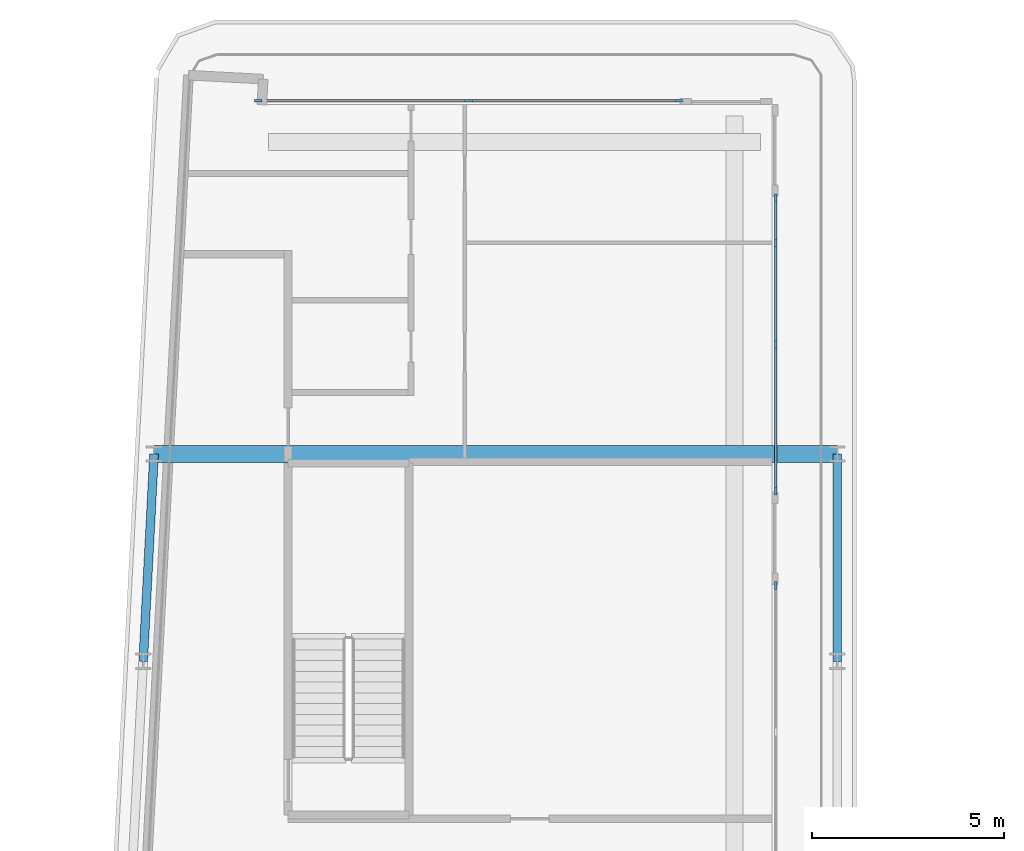
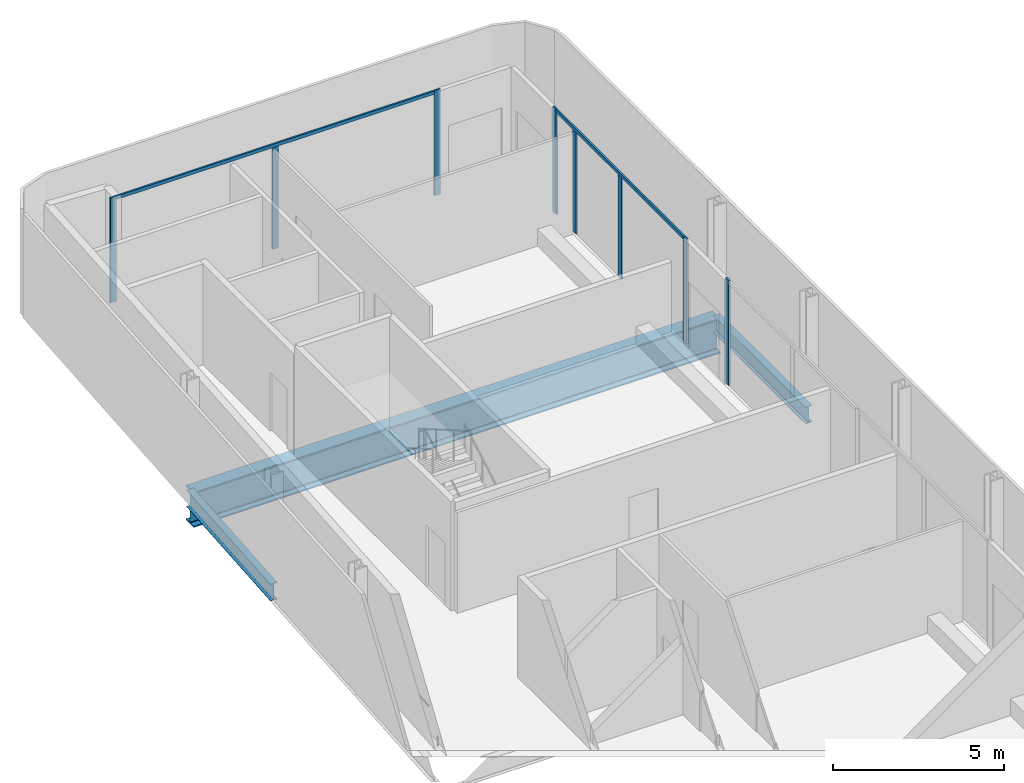
# One storey, part 11 of 30: 10 members, 3 beams, 3 elements without a shape of their own.
"""IFC4 building model written with IfcOpenShell, lengths in metres."""

from ifc_helpers import new_model, si_unit, direction, frame, origin, origin_2d, place, context, subcontext, project, spatial, rectangle, i_section, extrude, material, layer, layer_set, material_profile, profile_set, type_object, element, aggregate, save


model = new_model("IFC4")

# Units and contexts
model_context = context("Model", 3, precision=1e-05, world=origin(), true_north=direction((0.0, 1.0)))
body_context = subcontext(model_context, "Body", "Model", "MODEL_VIEW")
ifc_project = project(units=[si_unit("LENGTHUNIT", "METRE"), si_unit("AREAUNIT", "SQUARE_METRE"), si_unit("VOLUMEUNIT", "CUBIC_METRE"), si_unit("PLANEANGLEUNIT", "RADIAN"), si_unit("MASSUNIT", "GRAM", prefix="KILO")], contexts=[model_context])

# Site, building, storey
site_placement = place(None, origin())
site = spatial("IfcSite", under=ifc_project, at=site_placement, CompositionType="ELEMENT")
building_placement = place(site_placement, origin())
building = spatial("IfcBuilding", under=site, at=building_placement, Name="Kheshtan School and Residences Tower", CompositionType="ELEMENT")
storey_placement = place(building_placement, frame((0.0, 0.0, 199.39990234375)))
storey = spatial("IfcBuildingStorey", under=building, at=storey_placement, Name="L47", CompositionType="ELEMENT", Elevation=199.39990234375)

# Beams
ifc_material_1 = material(Name="Steel ASTM A992 Grade 50", Category="steel")
ifc_material_profile_1 = material_profile(ifc_material_1, i_section(OverallWidth=0.22802734375, OverallDepth=0.60302734375, WebThickness=0.010498046875, FlangeThickness=0.014892578125, FilletRadius=0.013427734375, at=origin_2d()), Name="W610x101")
ifc_profile_set_1 = profile_set([ifc_material_profile_1], Name="Steel ASTM A992 Grade 50")
beam_type_1 = type_object("IfcBeamType", Name="Beam SP2 W610x101 ASTM A992 Grade 50", PredefinedType="BEAM", material=ifc_profile_set_1)
beam_1_placement = place(storey_placement, frame((47.60009765625, 88.800048828125, -0.451416015625), z_axis=(0.0, -1.0, 0.0), x_axis=(1.0, 0.0, 0.0)))
element("IfcBeam", 1, at=beam_1_placement, inside=storey, type_object=beam_type_1, Name="Spandrel beam C099-C091", PredefinedType="BEAM", context=body_context, shape_type="SweptSolid", body=[
    extrude(i_section(OverallWidth=0.22802734375, OverallDepth=0.60302734375, WebThickness=0.010498046875, FlangeThickness=0.014892578125, FilletRadius=0.013427734375, at=origin_2d()), origin(), (0.0, 0.0, 1.0), 5.400146484375),
])
beam_2_placement = place(storey_placement, frame((29.527099609375, 83.39990234375, -0.451416015625), z_axis=(0.05250670125, 0.998620571751, 0.0), x_axis=(-0.998620571751, 0.05250670125, 0.0)))
element("IfcBeam", 2, at=beam_2_placement, inside=storey, type_object=beam_type_1, Name="Spandrel beam C090-C098", PredefinedType="BEAM", context=body_context, shape_type="SweptSolid", body=[
    extrude(i_section(OverallWidth=0.22802734375, OverallDepth=0.60302734375, WebThickness=0.010498046875, FlangeThickness=0.014892578125, FilletRadius=0.013427734375, at=origin_2d()), origin(), (0.0, 0.0, 1.0), 5.40771484375),
])

# Curtain wall, members
ifc_material_2 = material(Name="Clear low-e glass in thermally broken aluminium frame", Category="aluminium")
ifc_layer = layer(ifc_material_2, 0.199951171875)
ifc_layer_set = layer_set([ifc_layer], Name="Curtain wall CW-L")
curtain_wall_type = type_object("IfcCurtainWallType", Name="Curtain wall CW-L", PredefinedType="NOTDEFINED", material=ifc_layer_set)
curtain_wall_1_placement = place(storey_placement, origin())
curtain_wall_1 = element("IfcCurtainWall", 3, at=curtain_wall_1_placement, inside=storey, type_object=curtain_wall_type, Name="Curtain wall CWL7", PredefinedType="NOTDEFINED")
ifc_material_3 = material(Name="Thermally broken aluminium, dark bronze anodised", Category="aluminium")
ifc_material_profile_2 = material_profile(ifc_material_3, rectangle(XDim=0.06005859375, YDim=0.199951171875, at=origin_2d()), Name="CW-L mullion 60x200")
ifc_profile_set_2 = profile_set([ifc_material_profile_2], Name="Thermally broken aluminium, dark bronze anodised")
member_type_1 = type_object("IfcMemberType", Name="CW-L mullion 60x200", PredefinedType="MULLION", material=ifc_profile_set_2)
member_1_placement = place(storey_placement, frame((32.52197265625, 98.0, 0.0), z_axis=(0.0, 0.0, 1.0), x_axis=(0.0, 1.0, 0.0)))
member_1 = element("IfcMember", 4, at=member_1_placement, type_object=member_type_1, Name="CWL7 mullion 1", PredefinedType="MULLION", context=body_context, shape_type="SweptSolid", body=[
    extrude(rectangle(XDim=0.06005859375, YDim=0.199951171875, at=origin_2d()), origin(), (0.0, 0.0, 1.0), 3.75),
])
member_2_placement = place(storey_placement, frame((37.99609375, 98.0, 0.0), z_axis=(0.0, 0.0, 1.0), x_axis=(0.0, 1.0, 0.0)))
member_2 = element("IfcMember", 5, at=member_2_placement, type_object=member_type_1, Name="CWL7 mullion 2", PredefinedType="MULLION", context=body_context, shape_type="SweptSolid", body=[
    extrude(rectangle(XDim=0.06005859375, YDim=0.199951171875, at=origin_2d()), origin(), (0.0, 0.0, 1.0), 3.630126953125),
])
member_3_placement = place(storey_placement, frame((43.469970703125, 98.0, 0.0), z_axis=(0.0, 0.0, 1.0), x_axis=(0.0, 1.0, 0.0)))
member_3 = element("IfcMember", 6, at=member_3_placement, type_object=member_type_1, Name="CWL7 mullion 3", PredefinedType="MULLION", context=body_context, shape_type="SweptSolid", body=[
    extrude(rectangle(XDim=0.06005859375, YDim=0.199951171875, at=origin_2d()), origin(), (0.0, 0.0, 1.0), 3.75),
])

curtain_wall_2_placement = place(storey_placement, origin())
curtain_wall_2 = element("IfcCurtainWall", 7, at=curtain_wall_2_placement, inside=storey, type_object=curtain_wall_type, Name="Curtain wall CWL8c", PredefinedType="NOTDEFINED")
member_4_placement = place(storey_placement, frame((46.0, 95.469970703125, 0.0), z_axis=(0.0, 0.0, 1.0), x_axis=(1.0, 0.0, 0.0)))
member_4 = element("IfcMember", 8, at=member_4_placement, type_object=member_type_1, Name="CWL8c mullion 1", PredefinedType="MULLION", context=body_context, shape_type="SweptSolid", body=[
    extrude(rectangle(XDim=0.06005859375, YDim=0.199951171875, at=origin_2d()), origin(), (0.0, 0.0, 1.0), 3.75),
])
member_5_placement = place(storey_placement, frame((46.0, 94.300048828125, 0.0), z_axis=(0.0, 0.0, 1.0), x_axis=(1.0, 0.0, 0.0)))
member_5 = element("IfcMember", 9, at=member_5_placement, type_object=member_type_1, Name="CWL8c mullion 2", PredefinedType="MULLION", context=body_context, shape_type="SweptSolid", body=[
    extrude(rectangle(XDim=0.06005859375, YDim=0.199951171875, at=origin_2d()), origin(), (0.0, 0.0, 1.0), 3.630126953125),
])
member_6_placement = place(storey_placement, frame((46.0, 91.653076171875, 0.0), z_axis=(0.0, 0.0, 1.0), x_axis=(1.0, 0.0, 0.0)))
member_6 = element("IfcMember", 10, at=member_6_placement, type_object=member_type_1, Name="CWL8c mullion 3", PredefinedType="MULLION", context=body_context, shape_type="SweptSolid", body=[
    extrude(rectangle(XDim=0.06005859375, YDim=0.199951171875, at=origin_2d()), origin(), (0.0, 0.0, 1.0), 3.630126953125),
])
member_7_placement = place(storey_placement, frame((46.0, 87.8359375, 0.0), z_axis=(0.0, 0.0, 1.0), x_axis=(1.0, 0.0, 0.0)))
member_7 = element("IfcMember", 11, at=member_7_placement, type_object=member_type_1, Name="CWL8c mullion 4", PredefinedType="MULLION", context=body_context, shape_type="SweptSolid", body=[
    extrude(rectangle(XDim=0.06005859375, YDim=0.199951171875, at=origin_2d()), origin(), (0.0, 0.0, 1.0), 3.75),
])

# Curtain wall, member
curtain_wall_3_placement = place(storey_placement, origin())
curtain_wall_3 = element("IfcCurtainWall", 12, at=curtain_wall_3_placement, inside=storey, type_object=curtain_wall_type, Name="Curtain wall CWL8", PredefinedType="NOTDEFINED")
member_8_placement = place(storey_placement, frame((46.0, 85.3759765625, 0.0), z_axis=(0.0, 0.0, 1.0), x_axis=(1.0, 0.0, 0.0)))
member_8 = element("IfcMember", 13, at=member_8_placement, type_object=member_type_1, Name="CWL8 mullion 1", PredefinedType="MULLION", context=body_context, shape_type="SweptSolid", body=[
    extrude(rectangle(XDim=0.06005859375, YDim=0.199951171875, at=origin_2d()), origin(), (0.0, 0.0, 1.0), 3.75),
])
aggregate(curtain_wall_3, [member_8])

# Member
ifc_material_profile_3 = material_profile(ifc_material_3, rectangle(XDim=0.06005859375, YDim=0.1201171875, at=origin_2d()), Name="CW-L transom 60x120")
ifc_profile_set_3 = profile_set([ifc_material_profile_3], Name="Thermally broken aluminium, dark bronze anodised")
member_type_2 = type_object("IfcMemberType", Name="CW-L transom 60x120", PredefinedType="USERDEFINED", material=ifc_profile_set_3)
member_9_placement = place(storey_placement, frame((32.552001953125, 98.0, 3.690185546875), z_axis=(1.0, 0.0, 0.0), x_axis=(0.0, 1.0, 0.0)))
member_9 = element("IfcMember", 14, at=member_9_placement, type_object=member_type_2, Name="CWL7 transom 1", ObjectType="TRANSOM", PredefinedType="USERDEFINED", context=body_context, shape_type="SweptSolid", body=[
    extrude(rectangle(XDim=0.06005859375, YDim=0.1201171875, at=origin_2d()), origin(), (0.0, 0.0, 1.0), 10.887939453125),
])

aggregate(curtain_wall_1, [member_1, member_2, member_3, member_9])

member_10_placement = place(storey_placement, frame((46.0, 95.43994140625, 3.690185546875), z_axis=(0.0, -1.0, 0.0), x_axis=(1.0, 0.0, 0.0)))
member_10 = element("IfcMember", 15, at=member_10_placement, type_object=member_type_2, Name="CWL8c transom 1", ObjectType="TRANSOM", PredefinedType="USERDEFINED", context=body_context, shape_type="SweptSolid", body=[
    extrude(rectangle(XDim=0.06005859375, YDim=0.1201171875, at=origin_2d()), origin(), (0.0, 0.0, 1.0), 7.573974609375),
])

aggregate(curtain_wall_2, [member_4, member_5, member_6, member_7, member_10])

# Beam
ifc_material_profile_4 = material_profile(ifc_material_1, i_section(OverallWidth=0.449951171875, OverallDepth=1.25, WebThickness=0.02490234375, FlangeThickness=0.044921875, FilletRadius=0.03759765625, at=origin_2d()), Name="WWF1250x546")
ifc_profile_set_4 = profile_set([ifc_material_profile_4], Name="Steel ASTM A992 Grade 50")
beam_type_2 = type_object("IfcBeamType", Name="Transfer girder TG4 WWF1250x546 ASTM A992 Grade 50", PredefinedType="BEAM", material=ifc_profile_set_4)
beam_3_placement = place(storey_placement, frame((29.81103515625, 88.800048828125, -0.77490234375), z_axis=(1.0, 0.0, 0.0), x_axis=(0.0, 1.0, 0.0)))
element("IfcBeam", 16, at=beam_3_placement, inside=storey, type_object=beam_type_2, Name="Transfer girder C098-C099", PredefinedType="BEAM", context=body_context, shape_type="SweptSolid", body=[
    extrude(i_section(OverallWidth=0.449951171875, OverallDepth=1.25, WebThickness=0.02490234375, FlangeThickness=0.044921875, FilletRadius=0.03759765625, at=origin_2d()), origin(), (0.0, 0.0, 1.0), 17.7890625),
])

save(model, "model.ifc")
